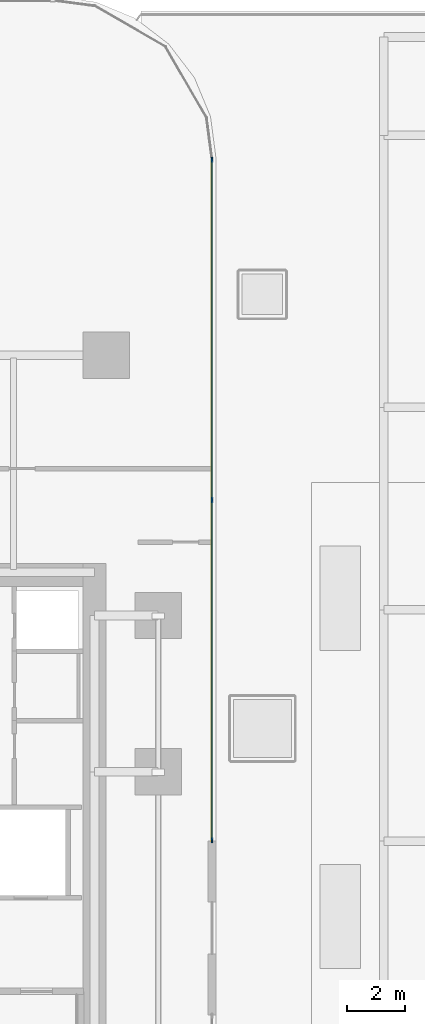
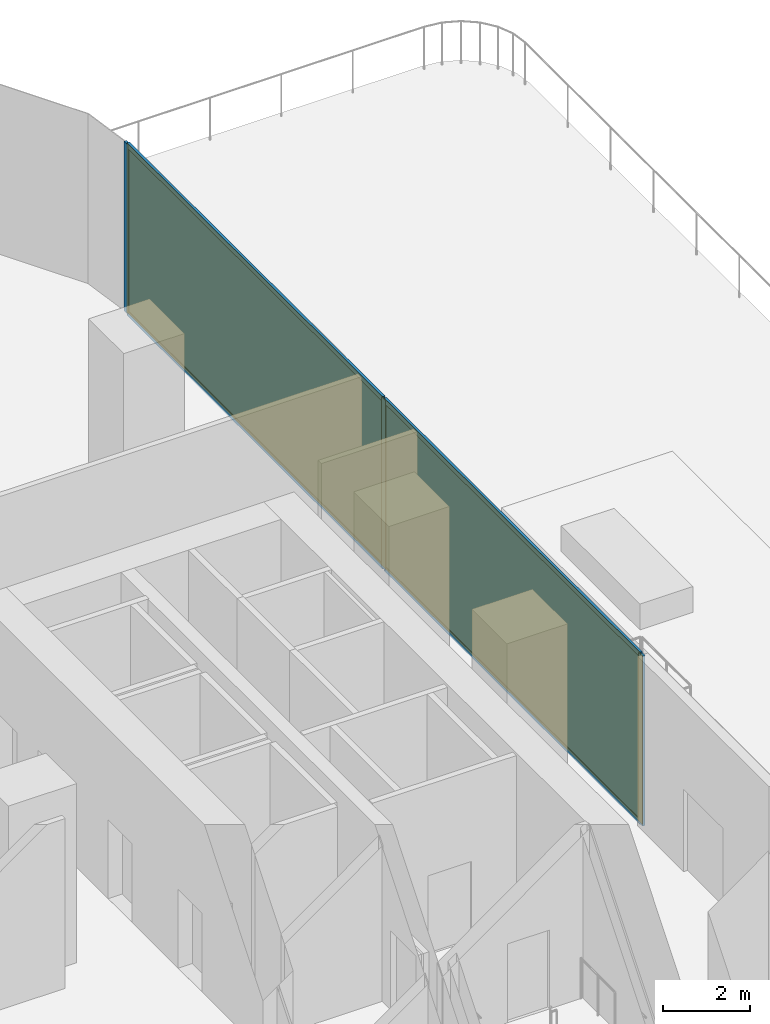
# One storey, part 14 of 21: 7 members, 2 plates, 1 curtain wall.
"""IFC4 building model written with IfcOpenShell, lengths in metres."""

from ifc_helpers import new_model, si_unit, direction, frame, frame_2d, origin, origin_2d, place, context, subcontext, project, spatial, rectangle, extrude, material, layer, layer_set, material_profile, profile_set, type_object, element, aggregate, save


model = new_model("IFC4")

# Units and contexts
model_context = context("Model", 3, precision=1e-05, world=origin(), true_north=direction((0.0, 1.0)))
body_context = subcontext(model_context, "Body", "Model", "MODEL_VIEW")
ifc_project = project(units=[si_unit("LENGTHUNIT", "METRE"), si_unit("AREAUNIT", "SQUARE_METRE"), si_unit("VOLUMEUNIT", "CUBIC_METRE"), si_unit("PLANEANGLEUNIT", "RADIAN"), si_unit("MASSUNIT", "GRAM", prefix="KILO")], contexts=[model_context])

# Member
ifc_material_1 = material(Name="Anodised Bronze Aluminium 6063-T6", Category="aluminium")
ifc_material_profile_1 = material_profile(ifc_material_1, rectangle(XDim=0.06494140625, YDim=0.179931640625, at=origin_2d()))
ifc_profile_set_1 = profile_set([ifc_material_profile_1], Name="Anodised Bronze Aluminium 6063-T6")
member_type_1 = type_object("IfcMemberType", Name="CW-Z1 Mullion 65x180", PredefinedType="MULLION", material=ifc_profile_set_1)
site_placement = place(None, origin())
building_placement = place(site_placement, origin())
storey_placement = place(building_placement, frame((0.0, 0.0, 21.0)))
member_1_placement = place(storey_placement, frame((24.06005859375, -2.367431640625, 0.0), z_axis=(0.0, 0.0, 1.0), x_axis=(-1.0, 0.0, 0.0)))
member_1 = element("IfcMember", 1, at=member_1_placement, type_object=member_type_1, Name="CW-Z1 mullion 1", PredefinedType="MULLION", context=body_context, shape_type="SweptSolid", body=[
    extrude(rectangle(XDim=0.06494140625, YDim=0.179931640625, at=origin_2d()), origin(), (0.0, 0.0, 1.0), 4.739990234375),
])

member_2_placement = place(storey_placement, frame((24.06005859375, 9.3955078125, 0.0), z_axis=(0.0, 0.0, 1.0), x_axis=(-1.0, 0.0, 0.0)))
member_2 = element("IfcMember", 2, at=member_2_placement, type_object=member_type_1, Name="CW-Z1 mullion 2", PredefinedType="MULLION", context=body_context, shape_type="SweptSolid", body=[
    extrude(rectangle(XDim=0.06494140625, YDim=0.179931640625, at=origin_2d()), origin(), (0.0, 0.0, 1.0), 4.739990234375),
])

member_3_placement = place(storey_placement, frame((24.06005859375, 21.158203125, 0.0), z_axis=(0.0, 0.0, 1.0), x_axis=(-1.0, 0.0, 0.0)))
member_3 = element("IfcMember", 3, at=member_3_placement, type_object=member_type_1, Name="CW-Z1 mullion 3", PredefinedType="MULLION", context=body_context, shape_type="SweptSolid", body=[
    extrude(rectangle(XDim=0.06494140625, YDim=0.179931640625, at=origin_2d()), origin(), (0.0, 0.0, 1.0), 4.739990234375),
])

ifc_material_2 = material(Name="Anodised Bronze Aluminium 6063-T6", Category="aluminium")
ifc_material_profile_2 = material_profile(ifc_material_2, rectangle(XDim=0.06494140625, YDim=0.139892578125, at=origin_2d()))
ifc_profile_set_2 = profile_set([ifc_material_profile_2], Name="Anodised Bronze Aluminium 6063-T6")
member_type_2 = type_object("IfcMemberType", Name="CW-Z1 Transom 65x140", PredefinedType="USERDEFINED", material=ifc_profile_set_2)
member_4_placement = place(storey_placement, frame((24.06005859375, -2.3349609375, 0.032470703125), z_axis=(0.0, 1.0, 0.0), x_axis=(-1.0, 0.0, 0.0)))
member_4 = element("IfcMember", 4, at=member_4_placement, type_object=member_type_2, Name="CW-Z1 transom 1.1", ObjectType="TRANSOM", PredefinedType="USERDEFINED", context=body_context, shape_type="SweptSolid", body=[
    extrude(rectangle(XDim=0.06494140625, YDim=0.139892578125, at=origin_2d()), origin(), (0.0, 0.0, 1.0), 11.69775390625),
])

member_5_placement = place(storey_placement, frame((24.06005859375, -2.3349609375, 4.70751953125), z_axis=(0.0, 1.0, 0.0), x_axis=(-1.0, 0.0, 0.0)))
member_5 = element("IfcMember", 5, at=member_5_placement, type_object=member_type_2, Name="CW-Z1 transom 1.2", ObjectType="TRANSOM", PredefinedType="USERDEFINED", context=body_context, shape_type="SweptSolid", body=[
    extrude(rectangle(XDim=0.06494140625, YDim=0.139892578125, at=origin_2d()), origin(), (0.0, 0.0, 1.0), 11.69775390625),
])

member_6_placement = place(storey_placement, frame((24.06005859375, 9.427978515625, 0.032470703125), z_axis=(0.0, 1.0, 0.0), x_axis=(-1.0, 0.0, 0.0)))
member_6 = element("IfcMember", 6, at=member_6_placement, type_object=member_type_2, Name="CW-Z1 transom 2.1", ObjectType="TRANSOM", PredefinedType="USERDEFINED", context=body_context, shape_type="SweptSolid", body=[
    extrude(rectangle(XDim=0.06494140625, YDim=0.139892578125, at=origin_2d()), origin(), (0.0, 0.0, 1.0), 11.69775390625),
])

member_7_placement = place(storey_placement, frame((24.06005859375, 9.427978515625, 4.70751953125), z_axis=(0.0, 1.0, 0.0), x_axis=(-1.0, 0.0, 0.0)))
member_7 = element("IfcMember", 7, at=member_7_placement, type_object=member_type_2, Name="CW-Z1 transom 2.2", ObjectType="TRANSOM", PredefinedType="USERDEFINED", context=body_context, shape_type="SweptSolid", body=[
    extrude(rectangle(XDim=0.06494140625, YDim=0.139892578125, at=origin_2d()), origin(), (0.0, 0.0, 1.0), 11.69775390625),
])

# Plate
ifc_material_3 = material(Name="Low-E Solar Control Laminated Glass", Category="glass")
ifc_layer_1 = layer(ifc_material_3, 0.028076171875, Name="Low-E Solar Control Laminated Glass")
ifc_layer_set_1 = layer_set([ifc_layer_1], Name="Low-E Solar Control Laminated Glass")
plate_type = type_object("IfcPlateType", Name="CW-Z1 Low-E Double Glazed Panel 28mm", PredefinedType="CURTAIN_PANEL", material=ifc_layer_set_1)
plate_1_placement = place(storey_placement, frame((24.06005859375, 3.513916015625, 0.06494140625), z_axis=(0.0, 0.0, 1.0), x_axis=(0.0, 1.0, 0.0)))
plate_1 = element("IfcPlate", 8, at=plate_1_placement, type_object=plate_type, Name="CW-Z1 panel 1.1", PredefinedType="CURTAIN_PANEL", context=body_context, shape_type="SweptSolid", body=[
    extrude(rectangle(XDim=11.697998046875, YDim=0.028076171875, at=origin_2d()), origin(), (0.0, 0.0, 1.0), 4.610107421875),
])

plate_2_placement = place(storey_placement, frame((24.06005859375, 15.27685546875, 0.06494140625), z_axis=(0.0, 0.0, 1.0), x_axis=(0.0, 1.0, 0.0)))
plate_2 = element("IfcPlate", 9, at=plate_2_placement, type_object=plate_type, Name="CW-Z1 panel 2.1", PredefinedType="CURTAIN_PANEL", context=body_context, shape_type="SweptSolid", body=[
    extrude(rectangle(XDim=11.697998046875, YDim=0.028076171875, at=origin_2d()), origin(), (0.0, 0.0, 1.0), 4.610107421875),
])

# Site, building, storey
site = spatial("IfcSite", under=ifc_project, at=site_placement, CompositionType="ELEMENT")
building = spatial("IfcBuilding", under=site, at=building_placement, Name="Khairoan Windgate Tower", CompositionType="ELEMENT")
storey = spatial("IfcBuildingStorey", under=building, at=storey_placement, Name="L05", CompositionType="ELEMENT", Elevation=21.0)

# Curtain wall
ifc_material_4 = material(Name="Anodised Bronze Aluminium 6063-T6", Category="aluminium")
ifc_layer_2 = layer(ifc_material_4, 0.179931640625, Name="Anodised Bronze Aluminium 6063-T6")
ifc_layer_set_2 = layer_set([ifc_layer_2], Name="Anodised Bronze Aluminium 6063-T6")
curtain_wall_type = type_object("IfcCurtainWallType", Name="Low-Rise Office Unitised Curtain Wall CW-Z1", PredefinedType="NOTDEFINED", material=ifc_layer_set_2)
curtain_wall_placement = place(storey_placement, frame((24.06005859375, -2.39990234375, 0.0), z_axis=(0.0, 0.0, 1.0), x_axis=(0.0, 1.0, 0.0)))
curtain_wall = element("IfcCurtainWall", 10, at=curtain_wall_placement, inside=storey, type_object=curtain_wall_type, Name="L05 Curtain Wall 15B", PredefinedType="NOTDEFINED", context=body_context, shape_type="SweptSolid", body=[
    extrude(rectangle(XDim=23.5908203125, YDim=0.010009765625, at=frame_2d((11.79541015625, 0.0))), origin(), (0.0, 0.0, 1.0), 4.739990234375),
])

aggregate(curtain_wall, [member_1, member_2, member_3, member_4, member_5, plate_1, member_6, member_7, plate_2])

save(model, "model.ifc")
